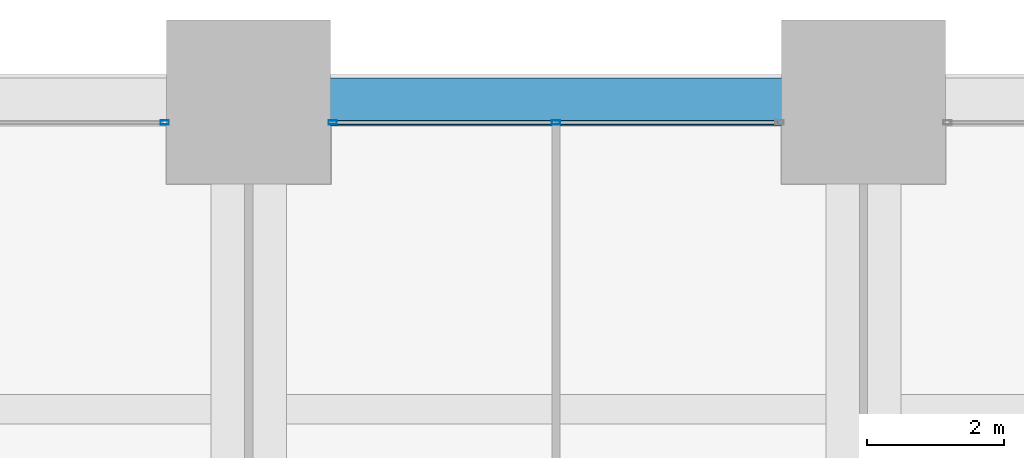
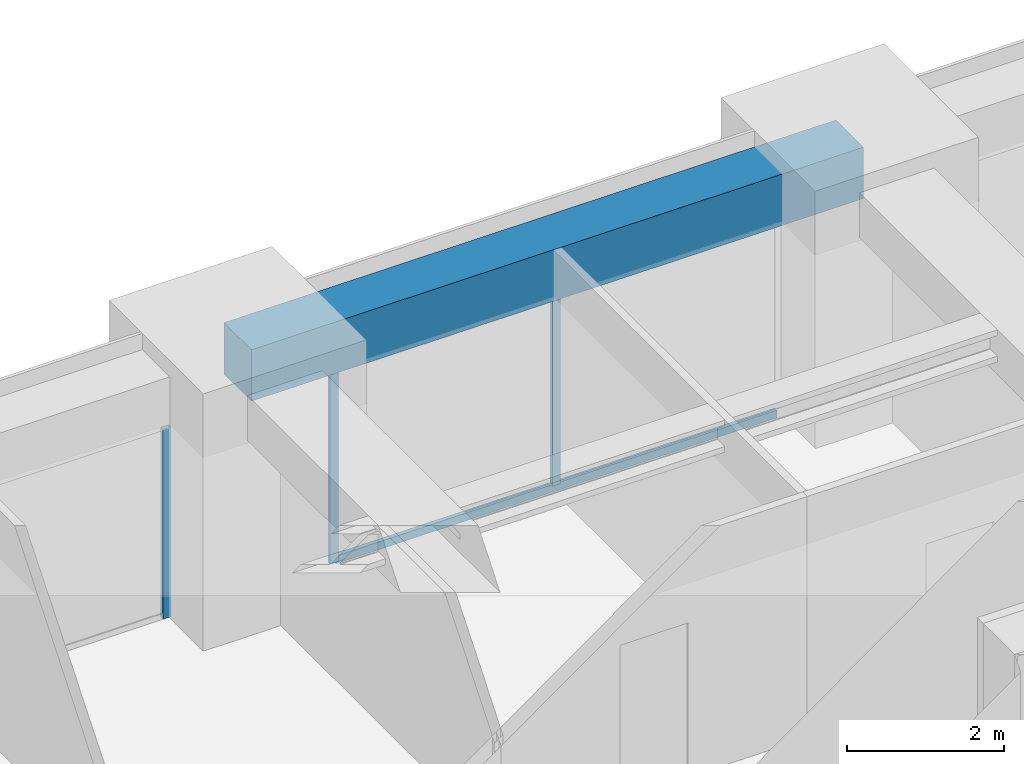
# One storey, part 34 of 45: 4 members, 1 beam, 2 elements without a shape of their own.
"""IFC4 building model written with IfcOpenShell, lengths in metres."""

from ifc_helpers import new_model, si_unit, direction, frame, origin, origin_2d, place, context, subcontext, project, spatial, rectangle, hollow_rectangle, extrude, material, material_profile, profile_set, type_object, element, aggregate, save


model = new_model("IFC4")

# Units and contexts
model_context = context("Model", 3, precision=1e-05, world=origin(), true_north=direction((0.0, 1.0)))
body_context = subcontext(model_context, "Body", "Model", "MODEL_VIEW")
ifc_project = project(units=[si_unit("LENGTHUNIT", "METRE"), si_unit("AREAUNIT", "SQUARE_METRE"), si_unit("VOLUMEUNIT", "CUBIC_METRE"), si_unit("PLANEANGLEUNIT", "RADIAN"), si_unit("MASSUNIT", "GRAM", prefix="KILO")], contexts=[model_context])

# Site, building, storey
site_placement = place(None, origin())
site = spatial("IfcSite", under=ifc_project, at=site_placement, CompositionType="ELEMENT")
building_placement = place(site_placement, origin())
building = spatial("IfcBuilding", under=site, at=building_placement, Name="Zorevar Civic Tower", CompositionType="ELEMENT")
storey_placement = place(building_placement, frame((0.0, 0.0, 247.39990234375)))
storey = spatial("IfcBuildingStorey", under=building, at=storey_placement, Name="L60", CompositionType="ELEMENT", Elevation=247.39990234375)

# Curtain wall, member
ifc_material_1 = material(Name="Dark grey solar-control glass in black aluminium frame", Category="aluminium")
curtain_wall_type = type_object("IfcCurtainWallType", Name="Curtain wall CW5 top zone", PredefinedType="NOTDEFINED", material=ifc_material_1)
curtain_wall_1_placement = place(storey_placement, origin())
curtain_wall_1 = element("IfcCurtainWall", 1, at=curtain_wall_1_placement, inside=storey, type_object=curtain_wall_type, Name="CW5 L60", PredefinedType="NOTDEFINED")
ifc_material_2 = material(Name="Aluminium, black anodised", Category="aluminium")
ifc_material_profile_1 = material_profile(ifc_material_2, hollow_rectangle(XDim=0.06005859375, YDim=0.1201171875, WallThickness=0.0029296875, at=origin_2d()), Name="AL 120x60x3")
ifc_profile_set_1 = profile_set([ifc_material_profile_1], Name="Aluminium, black anodised")
member_type_1 = type_object("IfcMemberType", Name="CW5 mullion AL 120x60x3", PredefinedType="MULLION", material=ifc_profile_set_1)
member_1_placement = place(storey_placement, frame((25.77001953125, 44.699951171875, 0.0), z_axis=(0.0, 0.0, 1.0), x_axis=(0.0, 1.0, 0.0)))
member_1 = element("IfcMember", 2, at=member_1_placement, type_object=member_type_1, Name="CW5 mullion 3", PredefinedType="MULLION", context=body_context, shape_type="SweptSolid", body=[
    extrude(hollow_rectangle(XDim=0.06005859375, YDim=0.1201171875, WallThickness=0.0029296875, at=origin_2d()), origin(), (0.0, 0.0, 1.0), 2.9501953125),
])
aggregate(curtain_wall_1, [member_1])

# Curtain wall, members
curtain_wall_2_placement = place(storey_placement, origin())
curtain_wall_2 = element("IfcCurtainWall", 3, at=curtain_wall_2_placement, inside=storey, type_object=curtain_wall_type, Name="CW5 L60", PredefinedType="NOTDEFINED")
member_2_placement = place(storey_placement, frame((28.22998046875, 44.699951171875, 0.0), z_axis=(0.0, 0.0, 1.0), x_axis=(0.0, 1.0, 0.0)))
member_2 = element("IfcMember", 4, at=member_2_placement, type_object=member_type_1, Name="CW5 mullion 1", PredefinedType="MULLION", context=body_context, shape_type="SweptSolid", body=[
    extrude(hollow_rectangle(XDim=0.06005859375, YDim=0.1201171875, WallThickness=0.0029296875, at=origin_2d()), origin(), (0.0, 0.0, 1.0), 2.9501953125),
])
member_3_placement = place(storey_placement, frame((31.5, 44.699951171875, 0.06005859375), z_axis=(0.0, 0.0, 1.0), x_axis=(0.0, 1.0, 0.0)))
member_3 = element("IfcMember", 5, at=member_3_placement, type_object=member_type_1, Name="CW5 mullion 2", PredefinedType="MULLION", context=body_context, shape_type="SweptSolid", body=[
    extrude(hollow_rectangle(XDim=0.06005859375, YDim=0.1201171875, WallThickness=0.0029296875, at=origin_2d()), origin(), (0.0, 0.0, 1.0), 2.89013671875),
])
ifc_material_3 = material(Name="Aluminium, black anodised", Category="aluminium")
ifc_material_profile_2 = material_profile(ifc_material_3, hollow_rectangle(XDim=0.06005859375, YDim=0.1201171875, WallThickness=0.0029296875, at=origin_2d()), Name="AL 120x60x3")
ifc_profile_set_2 = profile_set([ifc_material_profile_2], Name="Aluminium, black anodised")
member_type_2 = type_object("IfcMemberType", Name="CW5 transom AL 120x60x3", PredefinedType="USERDEFINED", material=ifc_profile_set_2)
member_4_placement = place(storey_placement, frame((28.260009765625, 44.699951171875, 0.030029296875), z_axis=(1.0, 0.0, 0.0), x_axis=(0.0, 1.0, 0.0)))
member_4 = element("IfcMember", 6, at=member_4_placement, type_object=member_type_2, Name="CW5 sill transom", ObjectType="TRANSOM", PredefinedType="USERDEFINED", context=body_context, shape_type="SweptSolid", body=[
    extrude(hollow_rectangle(XDim=0.06005859375, YDim=0.1201171875, WallThickness=0.0029296875, at=origin_2d()), origin(), (0.0, 0.0, 1.0), 6.47998046875),
])
aggregate(curtain_wall_2, [member_2, member_3, member_4])

# Beam
ifc_material_4 = material(Name="Concrete C50/60", Category="concrete")
ifc_material_profile_3 = material_profile(ifc_material_4, rectangle(XDim=0.699951171875, YDim=0.800048828125, at=origin_2d()), Name="RC 700x800")
ifc_profile_set_3 = profile_set([ifc_material_profile_3], Name="Concrete C50/60")
beam_type = type_object("IfcBeamType", Name="Edge beam RC 700x800", PredefinedType="SPANDREL", material=ifc_profile_set_3)
beam_placement = place(storey_placement, frame((27.0, 45.0, 3.35009765625), z_axis=(1.0, 0.0, 0.0), x_axis=(0.0, 1.0, 0.0)))
element("IfcBeam", 7, at=beam_placement, inside=storey, type_object=beam_type, Name="Edge beam L61", PredefinedType="SPANDREL", context=body_context, shape_type="SweptSolid", body=[
    extrude(rectangle(XDim=0.699951171875, YDim=0.800048828125, at=origin_2d()), origin(), (0.0, 0.0, 1.0), 9.0),
])

save(model, "model.ifc")
